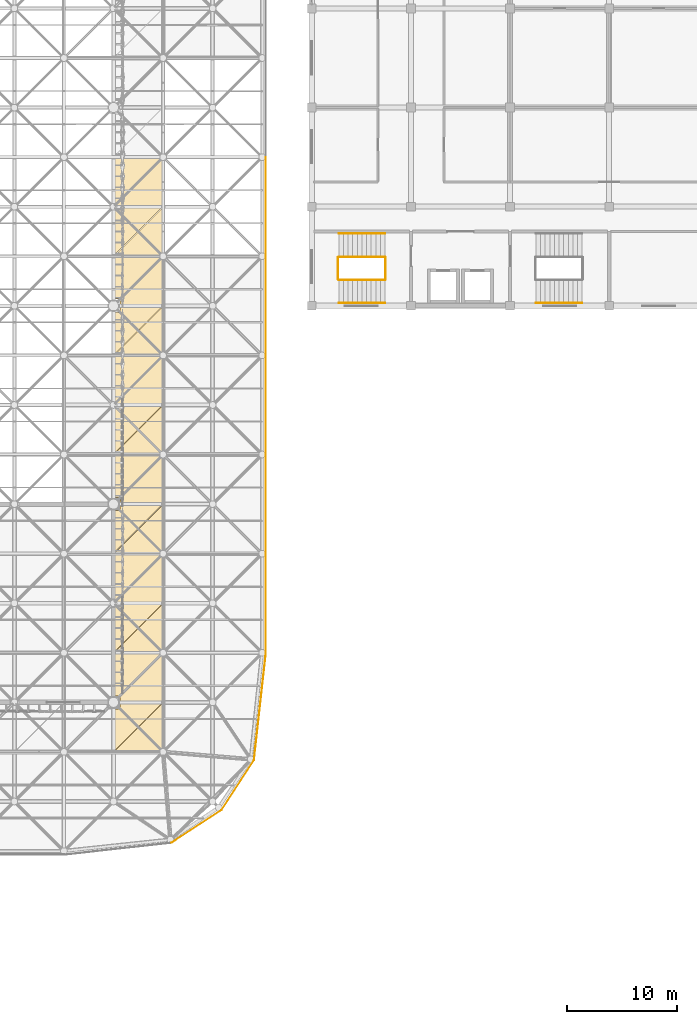
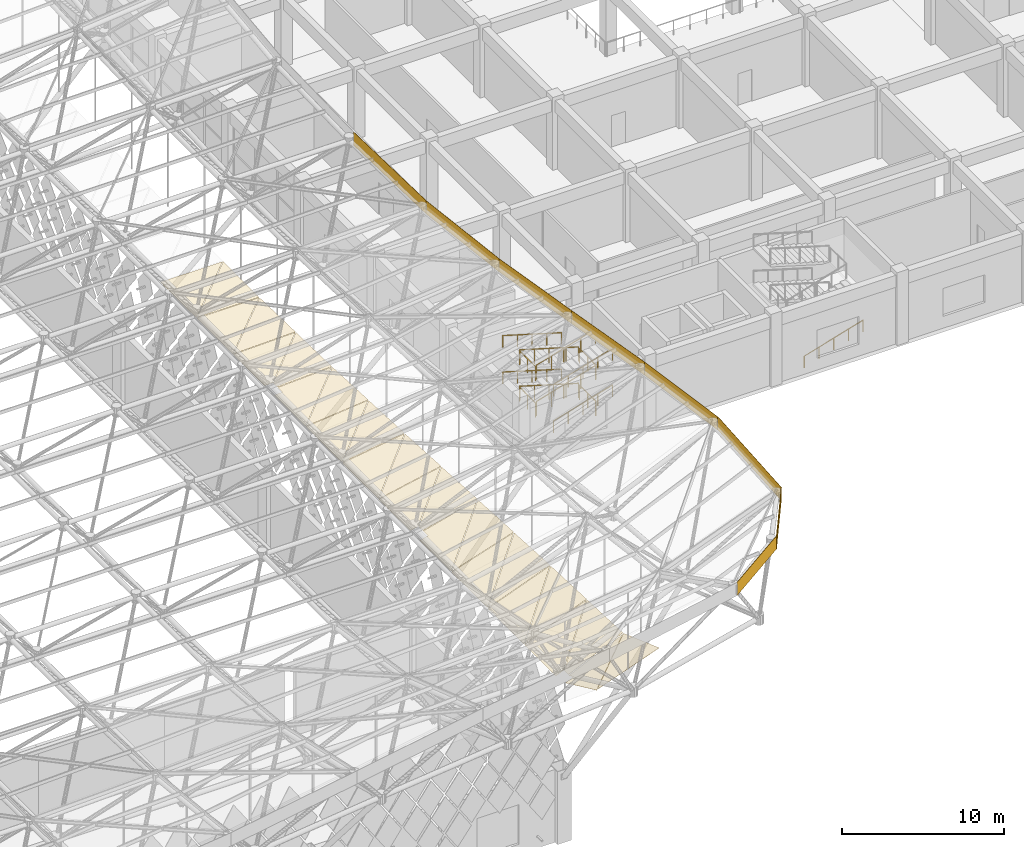
# One storey, part 428 of 437: 32 coverings, 13 railings.
"""IFC4 building model written with IfcOpenShell, lengths in metres."""

from ifc_helpers import new_model, si_unit, direction, frame, origin, origin_2d, place, context, subcontext, project, spatial, polyline, circle, outline, extrude, material, layer, layer_set, constituent, constituent_set, type_object, element, save


model = new_model("IFC4")

# Units and contexts
model_context = context("Model", 3, precision=1e-05, world=origin(), true_north=direction((0.0, 1.0)))
body_context = subcontext(model_context, "Body", "Model", "MODEL_VIEW")
ifc_project = project(units=[si_unit("LENGTHUNIT", "METRE"), si_unit("AREAUNIT", "SQUARE_METRE"), si_unit("VOLUMEUNIT", "CUBIC_METRE"), si_unit("PLANEANGLEUNIT", "RADIAN"), si_unit("MASSUNIT", "GRAM", prefix="KILO")], contexts=[model_context])

# Site, building, storey
site_placement = place(None, origin())
site = spatial("IfcSite", under=ifc_project, at=site_placement, CompositionType="ELEMENT")
building_placement = place(site_placement, origin())
building = spatial("IfcBuilding", under=site, at=building_placement, Name="Opaline Strait Convention Centre", CompositionType="ELEMENT")
storey_placement = place(building_placement, frame((0.0, 0.0, 11.5)))
storey = spatial("IfcBuildingStorey", under=building, at=storey_placement, Name="L02", CompositionType="ELEMENT", Elevation=11.5)

# Coverings
ifc_material_1 = material(Name="White aluminium fascia plate", Category="aluminium")
ifc_layer_1 = layer(ifc_material_1, 0.02001953125)
ifc_layer_set_1 = layer_set([ifc_layer_1], Name="White aluminium fascia plate")
covering_type_1 = type_object("IfcCoveringType", Name="Edge fascia plate 20 aluminium", PredefinedType="CLADDING", material=ifc_layer_set_1)
covering_1_placement = place(storey_placement, frame((268.516845703125, 42.737548828125, 24.8037109375), z_axis=(0.546267780547, -0.837610596839, 0.0), x_axis=(0.837610596839, 0.546267780547, 0.0)))
element("IfcCovering", 1, at=covering_1_placement, inside=storey, type_object=covering_type_1, Name="Edge fascia plate S", PredefinedType="CLADDING", context=body_context, shape_type="SweptSolid", body=[
    extrude(outline(polyline([(-2.700439453125, 0.4248046875), (2.700439453125, 0.5751953125), (2.700439453125, -0.4248046875), (-2.700439453125, -0.5751953125), (-2.700439453125, 0.4248046875)])), origin(), (0.0, 0.0, 1.0), 0.02001953125),
])
covering_2_placement = place(storey_placement, frame((272.262451171875, 46.483154296875, 24.8037109375), z_axis=(0.837610596839, -0.546267780547, 0.0), x_axis=(0.546267780547, 0.837610596839, 0.0)))
element("IfcCovering", 2, at=covering_2_placement, inside=storey, type_object=covering_type_1, Name="Edge fascia plate E", PredefinedType="CLADDING", context=body_context, shape_type="SweptSolid", body=[
    extrude(outline(polyline([(-2.700439453125, 0.5751953125), (2.700439453125, 0.4248046875), (2.700439453125, -0.5751953125), (-2.700439453125, -0.4248046875), (-2.700439453125, 0.5751953125)])), origin(), (0.0, 0.0, 1.0), 0.02001953125),
])
covering_3_placement = place(storey_placement, frame((274.281494140625, 53.6064453125, 24.2626953125), z_axis=(0.993883734674, -0.110431526075, 0.0), x_axis=(0.110431526075, 0.993883734674, 0.0)))
element("IfcCovering", 3, at=covering_3_placement, inside=storey, type_object=covering_type_1, Name="Edge fascia plate E", PredefinedType="CLADDING", context=body_context, shape_type="SweptSolid", body=[
    extrude(outline(polyline([(-4.9052734375, 0.9658203125), (4.9052734375, 0.0341796875), (4.9052734375, -0.9658203125), (-4.9052734375, -0.0341796875), (-4.9052734375, 0.9658203125)])), origin(), (0.0, 0.0, 1.0), 0.019775390625),
])
covering_4_placement = place(storey_placement, frame((274.800048828125, 62.991943359375, 23.124267578125), z_axis=(1.0, 0.0, 0.0), x_axis=(0.0, 1.0, 0.0)))
element("IfcCovering", 4, at=covering_4_placement, inside=storey, type_object=covering_type_1, Name="Edge fascia plate E", PredefinedType="CLADDING", context=body_context, shape_type="SweptSolid", body=[
    extrude(outline(polyline([(-4.508056640625, 1.17236328125), (4.508056640625, -0.17236328125), (4.508056640625, -1.17236328125), (-4.508056640625, 0.17236328125), (-4.508056640625, 1.17236328125)])), origin(), (0.0, 0.0, 1.0), 0.02001953125),
])
covering_5_placement = place(storey_placement, frame((274.800048828125, 72.0, 21.65966796875), z_axis=(1.0, 0.0, 0.0), x_axis=(0.0, 1.0, 0.0)))
element("IfcCovering", 5, at=covering_5_placement, inside=storey, type_object=covering_type_1, Name="Edge fascia plate E", PredefinedType="CLADDING", context=body_context, shape_type="SweptSolid", body=[
    extrude(outline(polyline([(-4.5, 1.29248046875), (4.5, -0.29248046875), (4.5, -1.29248046875), (-4.5, 0.29248046875), (-4.5, 1.29248046875)])), origin(), (0.0, 0.0, 1.0), 0.02001953125),
])
covering_6_placement = place(storey_placement, frame((274.800048828125, 81.0, 20.103515625), z_axis=(1.0, 0.0, 0.0), x_axis=(0.0, 1.0, 0.0)))
element("IfcCovering", 6, at=covering_6_placement, inside=storey, type_object=covering_type_1, Name="Edge fascia plate E", PredefinedType="CLADDING", context=body_context, shape_type="SweptSolid", body=[
    extrude(outline(polyline([(-4.5, 1.263671875), (4.5, -0.263671875), (4.5, -1.263671875), (-4.5, 0.263671875), (-4.5, 1.263671875)])), origin(), (0.0, 0.0, 1.0), 0.02001953125),
])
covering_7_placement = place(storey_placement, frame((274.800048828125, 90.0, 18.79638671875), z_axis=(1.0, 0.0, 0.0), x_axis=(0.0, 1.0, 0.0)))
element("IfcCovering", 7, at=covering_7_placement, inside=storey, type_object=covering_type_1, Name="Edge fascia plate E", PredefinedType="CLADDING", context=body_context, shape_type="SweptSolid", body=[
    extrude(outline(polyline([(-4.5, 1.043701171875), (4.5, -0.043701171875), (4.5, -1.043701171875), (-4.5, 0.043701171875), (-4.5, 1.043701171875)])), origin(), (0.0, 0.0, 1.0), 0.02001953125),
])
covering_8_placement = place(storey_placement, frame((274.800048828125, 99.0, 18.12646484375), z_axis=(1.0, 0.0, 0.0), x_axis=(0.0, 1.0, 0.0)))
element("IfcCovering", 8, at=covering_8_placement, inside=storey, type_object=covering_type_1, Name="Edge fascia plate E", PredefinedType="CLADDING", context=body_context, shape_type="SweptSolid", body=[
    extrude(outline(polyline([(-4.5, 0.62646484375), (4.5, 0.373779296875), (4.5, -0.626220703125), (-4.5, -0.37353515625), (-4.5, 0.62646484375)])), origin(), (0.0, 0.0, 1.0), 0.02001953125),
])

# Railings
ifc_material_2 = material(Name="Steel Q235B", Category="steel")
ifc_constituent_1 = constituent(ifc_material_2, Name="Frame")
ifc_material_3 = material(Name="Safety glass, bonded interlayer", Category="glass")
ifc_constituent_2 = constituent(ifc_material_3, Name="Infill")
ifc_constituent_set = constituent_set(constituents=[ifc_constituent_1, ifc_constituent_2], Name="Steel Q235B, Safety glass, bonded interlayer")
railing_type_1 = type_object("IfcRailingType", Name="Guard 1100 steel and glass", PredefinedType="GUARDRAIL", material=ifc_constituent_set)
railing_1_placement = place(storey_placement, frame((285.650146484375, 94.4501953125, 0.125)))
element("IfcRailing", 9, at=railing_1_placement, inside=storey, type_object=railing_type_1, Name="L02 S1 stair guard 1", PredefinedType="GUARDRAIL", context=body_context, shape_type="SweptSolid", body=[
    extrude(circle(Radius=0.02392578125, at=origin_2d()), frame((0.0, 0.0, 1.076171875), z_axis=(-0.958451171748, 0.0, 0.285256641246), x_axis=(0.0, -1.0, 0.0)), (0.0, 0.0, 1.0), 4.382080078125),
    extrude(circle(Radius=0.02099609375, at=origin_2d()), origin(), (0.0, 0.0, 1.0), 1.052001953125),
    extrude(circle(Radius=0.02099609375, at=origin_2d()), frame((-1.050048828125, 0.0, 0.3125)), (0.0, 0.0, 1.0), 1.052001953125),
    extrude(circle(Radius=0.02099609375, at=origin_2d()), frame((-2.10009765625, 0.0, 0.625)), (0.0, 0.0, 1.0), 1.052001953125),
    extrude(circle(Radius=0.02099609375, at=origin_2d()), frame((-3.14990234375, 0.0, 0.9375)), (0.0, 0.0, 1.0), 1.052001953125),
    extrude(circle(Radius=0.02099609375, at=origin_2d()), frame((-4.199951171875, 0.0, 1.25)), (0.0, 0.0, 1.0), 1.052001953125),
])
railing_2_placement = place(storey_placement, frame((281.400146484375, 94.400146484375, 1.375)))
element("IfcRailing", 10, at=railing_2_placement, inside=storey, type_object=railing_type_1, Name="L02 S1 stair guard 2", PredefinedType="GUARDRAIL", context=body_context, shape_type="SweptSolid", body=[
    extrude(circle(Radius=0.02392578125, at=origin_2d()), frame((0.0, 0.0, 1.076171875), z_axis=(0.0, -1.0, 0.0), x_axis=(1.0, 0.0, 0.0)), (0.0, 0.0, 1.0), 2.0),
    extrude(circle(Radius=0.02099609375, at=origin_2d()), origin(), (0.0, 0.0, 1.0), 1.052001953125),
    extrude(circle(Radius=0.02099609375, at=origin_2d()), frame((0.0, -1.0, 0.0)), (0.0, 0.0, 1.0), 1.052001953125),
    extrude(circle(Radius=0.02099609375, at=origin_2d()), frame((0.0, -2.0, 0.0)), (0.0, 0.0, 1.0), 1.052001953125),
])
railing_3_placement = place(storey_placement, frame((281.4501953125, 92.35009765625, 1.5)))
element("IfcRailing", 11, at=railing_3_placement, inside=storey, type_object=railing_type_1, Name="L02 S1 stair guard 3", PredefinedType="GUARDRAIL", context=body_context, shape_type="SweptSolid", body=[
    extrude(circle(Radius=0.02392578125, at=origin_2d()), frame((0.0, 0.0, 1.076171875), z_axis=(0.958451171748, 0.0, 0.285256641246), x_axis=(0.0, 1.0, 0.0)), (0.0, 0.0, 1.0), 4.382080078125),
    extrude(circle(Radius=0.02099609375, at=origin_2d()), origin(), (0.0, 0.0, 1.0), 1.052001953125),
    extrude(circle(Radius=0.02099609375, at=origin_2d()), frame((1.050048828125, 0.0, 0.3125)), (0.0, 0.0, 1.0), 1.052001953125),
    extrude(circle(Radius=0.02099609375, at=origin_2d()), frame((2.10009765625, 0.0, 0.625)), (0.0, 0.0, 1.0), 1.052001953125),
    extrude(circle(Radius=0.02099609375, at=origin_2d()), frame((3.14990234375, 0.0, 0.9375)), (0.0, 0.0, 1.0), 1.052001953125),
    extrude(circle(Radius=0.02099609375, at=origin_2d()), frame((4.199951171875, 0.0, 1.25)), (0.0, 0.0, 1.0), 1.052001953125),
])
railing_4_placement = place(storey_placement, frame((285.7001953125, 94.400146484375, 2.75)))
element("IfcRailing", 12, at=railing_4_placement, inside=storey, type_object=railing_type_1, Name="L02 S1 stair guard 4", PredefinedType="GUARDRAIL", context=body_context, shape_type="SweptSolid", body=[
    extrude(circle(Radius=0.02392578125, at=origin_2d()), frame((0.0, 0.0, 1.076171875), z_axis=(0.0, -1.0, 0.0), x_axis=(1.0, 0.0, 0.0)), (0.0, 0.0, 1.0), 2.0),
    extrude(circle(Radius=0.02099609375, at=origin_2d()), origin(), (0.0, 0.0, 1.0), 1.052001953125),
    extrude(circle(Radius=0.02099609375, at=origin_2d()), frame((0.0, -1.0, 0.0)), (0.0, 0.0, 1.0), 1.052001953125),
    extrude(circle(Radius=0.02099609375, at=origin_2d()), frame((0.0, -2.0, 0.0)), (0.0, 0.0, 1.0), 1.052001953125),
])
railing_5_placement = place(storey_placement, frame((285.650146484375, 94.4501953125, 2.875)))
element("IfcRailing", 13, at=railing_5_placement, inside=storey, type_object=railing_type_1, Name="L02 S1 stair guard 5", PredefinedType="GUARDRAIL", context=body_context, shape_type="SweptSolid", body=[
    extrude(circle(Radius=0.02392578125, at=origin_2d()), frame((0.0, 0.0, 1.076171875), z_axis=(-0.958451171748, 0.0, 0.285256641246), x_axis=(0.0, -1.0, 0.0)), (0.0, 0.0, 1.0), 4.382080078125),
    extrude(circle(Radius=0.02099609375, at=origin_2d()), origin(), (0.0, 0.0, 1.0), 1.052001953125),
    extrude(circle(Radius=0.02099609375, at=origin_2d()), frame((-1.050048828125, 0.0, 0.3125)), (0.0, 0.0, 1.0), 1.052001953125),
    extrude(circle(Radius=0.02099609375, at=origin_2d()), frame((-2.10009765625, 0.0, 0.625)), (0.0, 0.0, 1.0), 1.052001953125),
    extrude(circle(Radius=0.02099609375, at=origin_2d()), frame((-3.14990234375, 0.0, 0.9375)), (0.0, 0.0, 1.0), 1.052001953125),
    extrude(circle(Radius=0.02099609375, at=origin_2d()), frame((-4.199951171875, 0.0, 1.25)), (0.0, 0.0, 1.0), 1.052001953125),
])
railing_6_placement = place(storey_placement, frame((281.400146484375, 94.400146484375, 4.125)))
element("IfcRailing", 14, at=railing_6_placement, inside=storey, type_object=railing_type_1, Name="L02 S1 stair guard 6", PredefinedType="GUARDRAIL", context=body_context, shape_type="SweptSolid", body=[
    extrude(circle(Radius=0.02392578125, at=origin_2d()), frame((0.0, 0.0, 1.076171875), z_axis=(0.0, -1.0, 0.0), x_axis=(1.0, 0.0, 0.0)), (0.0, 0.0, 1.0), 2.0),
    extrude(circle(Radius=0.02099609375, at=origin_2d()), origin(), (0.0, 0.0, 1.0), 1.052001953125),
    extrude(circle(Radius=0.02099609375, at=origin_2d()), frame((0.0, -1.0, 0.0)), (0.0, 0.0, 1.0), 1.052001953125),
    extrude(circle(Radius=0.02099609375, at=origin_2d()), frame((0.0, -2.0, 0.0)), (0.0, 0.0, 1.0), 1.052001953125),
])
railing_7_placement = place(storey_placement, frame((281.4501953125, 92.35009765625, 4.25)))
element("IfcRailing", 15, at=railing_7_placement, inside=storey, type_object=railing_type_1, Name="L02 S1 stair guard 7", PredefinedType="GUARDRAIL", context=body_context, shape_type="SweptSolid", body=[
    extrude(circle(Radius=0.02392578125, at=origin_2d()), frame((0.0, 0.0, 1.076171875), z_axis=(0.958451171748, 0.0, 0.285256641246), x_axis=(0.0, 1.0, 0.0)), (0.0, 0.0, 1.0), 4.382080078125),
    extrude(circle(Radius=0.02099609375, at=origin_2d()), origin(), (0.0, 0.0, 1.0), 1.052001953125),
    extrude(circle(Radius=0.02099609375, at=origin_2d()), frame((1.050048828125, 0.0, 0.3125)), (0.0, 0.0, 1.0), 1.052001953125),
    extrude(circle(Radius=0.02099609375, at=origin_2d()), frame((2.10009765625, 0.0, 0.625)), (0.0, 0.0, 1.0), 1.052001953125),
    extrude(circle(Radius=0.02099609375, at=origin_2d()), frame((3.14990234375, 0.0, 0.9375)), (0.0, 0.0, 1.0), 1.052001953125),
    extrude(circle(Radius=0.02099609375, at=origin_2d()), frame((4.199951171875, 0.0, 1.25)), (0.0, 0.0, 1.0), 1.052001953125),
])
railing_8_placement = place(storey_placement, frame((285.7001953125, 94.400146484375, 0.0)))
element("IfcRailing", 16, at=railing_8_placement, inside=storey, type_object=railing_type_1, Name="L02 S1 stair guard 8", PredefinedType="GUARDRAIL", context=body_context, shape_type="SweptSolid", body=[
    extrude(circle(Radius=0.02392578125, at=origin_2d()), frame((0.0, 0.0, 1.076171875), z_axis=(0.0, -1.0, 0.0), x_axis=(1.0, 0.0, 0.0)), (0.0, 0.0, 1.0), 2.0),
    extrude(circle(Radius=0.02099609375, at=origin_2d()), origin(), (0.0, 0.0, 1.0), 1.052001953125),
    extrude(circle(Radius=0.02099609375, at=origin_2d()), frame((0.0, -1.0, 0.0)), (0.0, 0.0, 1.0), 1.052001953125),
    extrude(circle(Radius=0.02099609375, at=origin_2d()), frame((0.0, -2.0, 0.0)), (0.0, 0.0, 1.0), 1.052001953125),
])

# Coverings
ifc_material_4 = material(Name="White aluminium soffit panel", Category="aluminium")
ifc_layer_2 = layer(ifc_material_4, 0.011962890625)
ifc_layer_set_2 = layer_set([ifc_layer_2], Name="White aluminium soffit panel")
covering_type_2 = type_object("IfcCoveringType", Name="Soffit lining panel 12 aluminium", PredefinedType="CEILING", material=ifc_layer_set_2)
covering_9_placement = place(storey_placement, frame((261.04833984375, 49.52001953125, 13.951171875), z_axis=(-0.319733183458, 0.319733183458, 0.891931265733), x_axis=(0.707106781187, 0.707106781187, 0.0)))
element("IfcCovering", 17, at=covering_9_placement, inside=storey, type_object=covering_type_2, Name="Soffit lining panel", PredefinedType="CEILING", context=body_context, shape_type="SweptSolid", body=[
    extrude(outline(polyline([(0.0, 0.0), (6.26728627543858, 0.0), (3.13364313771929, -3.513323568878563), (0.0, 0.0)])), origin(), (0.0, 0.0, -1.0), 0.011962890625),
])
covering_10_placement = place(storey_placement, frame((261.02001953125, 53.39990234375, 12.10400390625), z_axis=(-0.386677291597, 0.386677291597, 0.837234342538), x_axis=(0.907880998043, 0.000167936377, 0.419227939419)))
element("IfcCovering", 18, at=covering_10_placement, inside=storey, type_object=covering_type_2, Name="Soffit lining panel", PredefinedType="CEILING", context=body_context, shape_type="SweptSolid", body=[
    extrude(outline(polyline([(0.0, 0.0), (0.6388181330453637, -2.7755575615628914e-17), (0.5267393232865868, 0.6289093317089673), (4.769225991190877, 0.6281502347137576), (0.7450794439273573, -4.176547656355761), (0.0, 0.0)])), origin(), (0.0, 0.0, -1.0), 0.011962890625),
])
covering_11_placement = place(storey_placement, frame((265.47998046875, 58.45166015625, 13.758544921875), z_axis=(-0.418964447828, 0.038044665286, 0.907205266133), x_axis=(-4.694149e-06, -0.999121929931, 0.041897125316)))
element("IfcCovering", 19, at=covering_11_placement, inside=storey, type_object=covering_type_2, Name="Soffit lining panel", PredefinedType="CEILING", context=body_context, shape_type="SweptSolid", body=[
    extrude(outline(polyline([(0.0, 0.0), (4.43553344347302, 0.0), (4.360482563765838, -4.272963733194881), (3.8082374982023253, -4.272989518774341), (0.0, 0.0)])), origin(), (0.0, 0.0, -1.0), 0.011962890625),
])
covering_12_placement = place(storey_placement, frame((261.02001953125, 58.47998046875, 11.898193359375), z_axis=(-0.387154153056, 1.500748e-06, 0.922015000837), x_axis=(0.922015000838, 2e-12, 0.387154153056)))
element("IfcCovering", 20, at=covering_12_placement, inside=storey, type_object=covering_type_2, Name="Soffit lining panel", PredefinedType="CEILING", context=body_context, shape_type="SweptSolid", body=[
    extrude(outline(polyline([(0.0, 0.0), (4.80647100825585, 4.235164736271502e-22), (0.5984285139444813, -3.8798828125054574), (-7.053854164623188e-12, -3.879882812495631), (0.0, 0.0)])), origin(), (0.0, 0.0, -1.0), 0.011962890625),
])
covering_13_placement = place(storey_placement, frame((261.04833984375, 58.52001953125, 11.90869140625), z_axis=(-0.386820964607, 0.038626263491, 0.92134551234), x_axis=(0.683135434977, 0.683135434977, 0.258170399071)))
element("IfcCovering", 21, at=covering_13_placement, inside=storey, type_object=covering_type_2, Name="Soffit lining panel", PredefinedType="CEILING", context=body_context, shape_type="SweptSolid", body=[
    extrude(outline(polyline([(0.0, 0.0), (6.4872064865836325, -1.1102230246251565e-16), (3.5077614812088864, -3.2858582426186382), (0.0, 0.0)])), origin(), (0.0, 0.0, -1.0), 0.011962890625),
])
covering_14_placement = place(storey_placement, frame((261.02001953125, 58.54833984375, 11.910400390625), z_axis=(-0.35351681603, 0.0, 0.935428169762), x_axis=(0.0, 1.0, 0.0)))
element("IfcCovering", 22, at=covering_14_placement, inside=storey, type_object=covering_type_2, Name="Soffit lining panel", PredefinedType="CEILING", context=body_context, shape_type="SweptSolid", body=[
    extrude(outline(polyline([(0.0, 0.0), (4.431640625, 0.0), (4.431640625, -4.737553099483146), (0.0, 0.0)])), origin(), (0.0, 0.0, -1.0), 0.011962890625),
])
covering_15_placement = place(storey_placement, frame((261.04833984375, 63.02001953125, 11.918701171875), z_axis=(-0.353094322796, 0.051412509616, 0.934174048593), x_axis=(0.689361784961, 0.689361784961, 0.222622233552)))
element("IfcCovering", 23, at=covering_15_placement, inside=storey, type_object=covering_type_2, Name="Soffit lining panel", PredefinedType="CEILING", context=body_context, shape_type="SweptSolid", body=[
    extrude(outline(polyline([(0.0, 0.0), (6.428613714427233, 2.7755575615628914e-16), (3.4279068029802393, -3.2702724895389252), (0.0, 0.0)])), origin(), (0.0, 0.0, -1.0), 0.011962890625),
])
covering_16_placement = place(storey_placement, frame((261.02001953125, 63.04833984375, 11.926513671875), z_axis=(-0.307264697163, 0.0, 0.951624088534), x_axis=(0.0, 1.0, 0.0)))
element("IfcCovering", 24, at=covering_16_placement, inside=storey, type_object=covering_type_2, Name="Soffit lining panel", PredefinedType="CEILING", context=body_context, shape_type="SweptSolid", body=[
    extrude(outline(polyline([(0.0, 0.0), (4.431640625, 0.0), (4.431640625, -4.65692354617518), (0.0, 0.0)])), origin(), (0.0, 0.0, -1.0), 0.011962890625),
])
covering_17_placement = place(storey_placement, frame((261.04833984375, 67.52001953125, 11.93310546875), z_axis=(-0.306844161114, 0.052301197228, 0.950321653736), x_axis=(0.694755567167, 0.694755567167, 0.186089773445)))
element("IfcCovering", 25, at=covering_17_placement, inside=storey, type_object=covering_type_2, Name="Soffit lining panel", PredefinedType="CEILING", context=body_context, shape_type="SweptSolid", body=[
    extrude(outline(polyline([(0.0, 0.0), (6.378704733623482, -2.220446049250313e-16), (3.345184379242157, -3.2398577721552955), (0.0, 0.0)])), origin(), (0.0, 0.0, -1.0), 0.011962890625),
])
covering_18_placement = place(storey_placement, frame((261.02001953125, 71.39990234375, 11.9423828125), z_axis=(-0.258734508722, 2.2585036e-05, 0.965948473515), x_axis=(0.965948473762, 3.764e-09, 0.258734508788)))
element("IfcCovering", 26, at=covering_18_placement, inside=storey, type_object=covering_type_2, Name="Soffit lining panel", PredefinedType="CEILING", context=body_context, shape_type="SweptSolid", body=[
    extrude(outline(polyline([(0.0, 0.0), (0.6005001760855877, 4.235164736271502e-22), (0.6005001782692196, 0.5800781248520559), (4.5878573941383625, 0.5800781081734141), (-1.4498728164740077e-08, -3.8515624990176907), (0.0, 0.0)])), origin(), (0.0, 0.0, -1.0), 0.011962890625),
])
covering_19_placement = place(storey_placement, frame((265.47998046875, 72.02001953125, 13.1337890625), z_axis=(-0.258304052823, 0.056554722907, 0.964406853777), x_axis=(-0.965952834707, 1.759893e-06, -0.258718227264)))
element("IfcCovering", 27, at=covering_19_placement, inside=storey, type_object=covering_type_2, Name="Soffit lining panel", PredefinedType="CEILING", context=body_context, shape_type="SweptSolid", body=[
    extrude(outline(polyline([(0.0, 0.0), (4.0166713727111185, 6.938893903907228e-18), (4.025009942866852, -0.5526352211088226), (0.06727706484882381, -4.438751793949846), (0.0, 0.0)])), origin(), (0.0, 0.0, -1.0), 0.011962890625),
])
covering_20_placement = place(storey_placement, frame((265.45166015625, 76.47998046875, 12.886474609375), z_axis=(-0.204804393512, 7.290009e-06, 0.978802922117), x_axis=(-0.69949209365, -0.699493138049, -0.146356280164)))
element("IfcCovering", 28, at=covering_20_placement, inside=storey, type_object=covering_type_2, Name="Soffit lining panel", PredefinedType="CEILING", context=body_context, shape_type="SweptSolid", body=[
    extrude(outline(polyline([(0.0, 0.0), (5.546706038502559, -1.1379786002407855e-15), (5.949557271941814, -0.3943131422387574), (3.2356058681647184, -3.1670299355426152), (0.0, 0.0)])), origin(), (0.0, 0.0, -1.0), 0.011962890625),
])
covering_21_placement = place(storey_placement, frame((261.04833984375, 76.52001953125, 11.961669921875), z_axis=(-0.204409821975, 0.057333805742, 0.977204921907), x_axis=(0.703136079276, 0.703136079276, 0.105826783196)))
element("IfcCovering", 29, at=covering_21_placement, inside=storey, type_object=covering_type_2, Name="Soffit lining panel", PredefinedType="CEILING", context=body_context, shape_type="SweptSolid", body=[
    extrude(outline(polyline([(0.0, 0.0), (6.302678465262751, -2.0816681711721685e-16), (3.2141480485372487, -3.188733850971598), (0.0, 0.0)])), origin(), (0.0, 0.0, -1.0), 0.011962890625),
])
covering_22_placement = place(storey_placement, frame((261.02001953125, 76.54833984375, 11.976318359375), z_axis=(-0.148830592632, 0.0, 0.988862707709), x_axis=(0.0, 1.0, 0.0)))
element("IfcCovering", 30, at=covering_22_placement, inside=storey, type_object=covering_type_2, Name="Soffit lining panel", PredefinedType="CEILING", context=body_context, shape_type="SweptSolid", body=[
    extrude(outline(polyline([(0.0, 0.0), (4.431640625, 0.0), (4.431640625, -4.4815529905755245), (0.0, 0.0)])), origin(), (0.0, 0.0, -1.0), 0.011962890625),
])
covering_23_placement = place(storey_placement, frame((261.04833984375, 81.02001953125, 11.97705078125), z_axis=(-0.148650840766, 0.049133129287, 0.987668397361), x_axis=(0.705318837527, 0.705318837527, 0.071068100145)))
element("IfcCovering", 31, at=covering_23_placement, inside=storey, type_object=covering_type_2, Name="Soffit lining panel", PredefinedType="CEILING", context=body_context, shape_type="SweptSolid", body=[
    extrude(outline(polyline([(0.0, 0.0), (6.283173494325447, -4.0245584642661925e-16), (3.173121481541161, -3.1647460041397406), (0.0, 0.0)])), origin(), (0.0, 0.0, -1.0), 0.011962890625),
])
covering_24_placement = place(storey_placement, frame((261.02001953125, 81.04833984375, 11.99072265625), z_axis=(-0.100306879711, 0.0, 0.994956546731), x_axis=(0.0, 1.0, 0.0)))
element("IfcCovering", 32, at=covering_24_placement, inside=storey, type_object=covering_type_2, Name="Soffit lining panel", PredefinedType="CEILING", context=body_context, shape_type="SweptSolid", body=[
    extrude(outline(polyline([(0.0, 0.0), (4.431640625, 0.0), (4.431640625, -4.4541046938794215), (0.0, 0.0)])), origin(), (0.0, 0.0, -1.0), 0.011962890625),
])
covering_25_placement = place(storey_placement, frame((261.04833984375, 85.52001953125, 11.989013671875), z_axis=(-0.10013004148, 0.049435444208, 0.993745496417), x_axis=(0.706647187087, 0.706647187087, 0.036048661042)))
element("IfcCovering", 33, at=covering_25_placement, inside=storey, type_object=covering_type_2, Name="Soffit lining panel", PredefinedType="CEILING", context=body_context, shape_type="SweptSolid", body=[
    extrude(outline(polyline([(0.0, 0.0), (6.271362436559078, 3.469446951953614e-18), (3.1477033059221204, -3.151316300933694), (0.0, 0.0)])), origin(), (0.0, 0.0, -1.0), 0.011962890625),
])
covering_26_placement = place(storey_placement, frame((261.60009765625, 89.97998046875, 12.0205078125), z_axis=(-0.05100733674, 1.9333429e-05, 0.998698278373), x_axis=(0.998698278559, -3.17e-10, 0.05100733675)))
element("IfcCovering", 34, at=covering_26_placement, inside=storey, type_object=covering_type_2, Name="Soffit lining panel", PredefinedType="CEILING", context=body_context, shape_type="SweptSolid", body=[
    extrude(outline(polyline([(0.0, 0.0), (3.85658592675168, -4.235164736271502e-22), (-0.5808298319942785, -4.431640626012398), (-0.580829833215506, -0.5800781267322196), (1.8392726934784082e-10, -0.5800781248915887), (0.0, 0.0)])), origin(), (0.0, 0.0, -1.0), 0.011962890625),
])
covering_27_placement = place(storey_placement, frame((265.47998046875, 90.02001953125, 12.21826171875), z_axis=(-0.050983197058, 0.024945024713, 0.998387930296), x_axis=(-0.998698699977, 7.30558e-07, -0.050999084926)))
element("IfcCovering", 35, at=covering_27_placement, inside=storey, type_object=covering_type_2, Name="Soffit lining panel", PredefinedType="CEILING", context=body_context, shape_type="SweptSolid", body=[
    extrude(outline(polyline([(0.0, 0.0), (3.8849440910639146, 0.0), (3.885641747269246, -0.5519267199106684), (0.005655968175302711, -4.433022907361481), (0.0, 0.0)])), origin(), (0.0, 0.0, -1.0), 0.011962890625),
])
covering_28_placement = place(storey_placement, frame((265.45166015625, 94.47998046875, 12.105712890625), z_axis=(-0.026005311496, 1.309102e-05, 0.999661804613), x_axis=(-0.706987180748, -0.706987421553, -0.01838238351)))
element("IfcCovering", 36, at=covering_28_placement, inside=storey, type_object=covering_type_2, Name="Soffit lining panel", PredefinedType="CEILING", context=body_context, shape_type="SweptSolid", body=[
    extrude(outline(polyline([(0.0, 0.0), (5.487909253945506, 1.4333152720258369e-16), (5.878259739569927, -0.3902187376539449), (3.1352313940319494, -3.1341732073433217), (0.0, 0.0)])), origin(), (0.0, 0.0, -1.0), 0.011962890625),
])
covering_29_placement = place(storey_placement, frame((261.04833984375, 94.52001953125, 11.99072265625), z_axis=(-0.026040718529, 0.025049739811, 0.999346982541), x_axis=(0.707106607358, 0.707106607358, 0.000701185485)))
element("IfcCovering", 37, at=covering_29_placement, inside=storey, type_object=covering_type_2, Name="Soffit lining panel", PredefinedType="CEILING", context=body_context, shape_type="SweptSolid", body=[
    extrude(outline(polyline([(0.0, 0.0), (6.2672878161295325, 2.5833827264898357e-16), (3.1337233392330437, -3.1356900277080078), (0.0, 0.0)])), origin(), (0.0, 0.0, -1.0), 0.011962890625),
])
covering_30_placement = place(storey_placement, frame((261.02001953125, 94.54833984375, 11.989990234375), z_axis=(-0.00099162578, 0.0, 0.999999508339), x_axis=(0.0, 1.0, 0.0)))
element("IfcCovering", 38, at=covering_30_placement, inside=storey, type_object=covering_type_2, Name="Soffit lining panel", PredefinedType="CEILING", context=body_context, shape_type="SweptSolid", body=[
    extrude(outline(polyline([(0.0, 0.0), (4.431640625, 0.0), (4.431640625, -4.431642803865774), (0.0, 0.0)])), origin(), (0.0, 0.0, -1.0), 0.011962890625),
])
covering_31_placement = place(storey_placement, frame((261.04833984375, 99.02001953125, 11.989990234375), z_axis=(-0.00099162578, 0.0, 0.999999508339), x_axis=(0.707106607358, 0.707106607358, 0.000701185485)))
element("IfcCovering", 39, at=covering_31_placement, inside=storey, type_object=covering_type_2, Name="Soffit lining panel", PredefinedType="CEILING", context=body_context, shape_type="SweptSolid", body=[
    extrude(outline(polyline([(0.0, 0.0), (6.2672878161295325, -5.14484424030473e-16), (3.1336454487555305, -3.133643908064388), (0.0, 0.0)])), origin(), (0.0, 0.0, -1.0), 0.011962890625),
])
covering_32_placement = place(storey_placement, frame((261.02001953125, 99.04833984375, 11.989990234375), z_axis=(-0.00099162578, 0.0, 0.999999508339), x_axis=(0.0, 1.0, 0.0)))
element("IfcCovering", 40, at=covering_32_placement, inside=storey, type_object=covering_type_2, Name="Soffit lining panel", PredefinedType="CEILING", context=body_context, shape_type="SweptSolid", body=[
    extrude(outline(polyline([(0.0, 0.0), (4.431640625, 0.0), (4.431640625, -4.431642803865774), (0.0, 0.0)])), origin(), (0.0, 0.0, -1.0), 0.011962890625),
])

# Railings
ifc_material_5 = material(Name="Stainless steel 304", Category="steel")
railing_type_2 = type_object("IfcRailingType", Name="Stair handrail 900 stainless steel", PredefinedType="HANDRAIL", material=ifc_material_5)
railing_9_placement = place(storey_placement, frame((285.650146484375, 96.550048828125, 0.125)))
element("IfcRailing", 41, at=railing_9_placement, inside=storey, type_object=railing_type_2, Name="L02 S1 stair handrail 1", PredefinedType="HANDRAIL", context=body_context, shape_type="SweptSolid", body=[
    extrude(circle(Radius=0.02392578125, at=origin_2d()), frame((0.0, 0.0, 0.8759765625), z_axis=(-0.958451171748, 0.0, 0.285256641246), x_axis=(0.0, -1.0, 0.0)), (0.0, 0.0, 1.0), 4.382080078125),
    extrude(circle(Radius=0.02099609375, at=origin_2d()), origin(), (0.0, 0.0, 1.0), 0.851806640625),
    extrude(circle(Radius=0.02099609375, at=origin_2d()), frame((-1.050048828125, 0.0, 0.3125)), (0.0, 0.0, 1.0), 0.851806640625),
    extrude(circle(Radius=0.02099609375, at=origin_2d()), frame((-2.10009765625, 0.0, 0.625)), (0.0, 0.0, 1.0), 0.851806640625),
    extrude(circle(Radius=0.02099609375, at=origin_2d()), frame((-3.14990234375, 0.0, 0.9375)), (0.0, 0.0, 1.0), 0.851806640625),
    extrude(circle(Radius=0.02099609375, at=origin_2d()), frame((-4.199951171875, 0.0, 1.25)), (0.0, 0.0, 1.0), 0.851806640625),
])
railing_10_placement = place(storey_placement, frame((281.4501953125, 90.25, 1.5)))
element("IfcRailing", 42, at=railing_10_placement, inside=storey, type_object=railing_type_2, Name="L02 S1 stair handrail 2", PredefinedType="HANDRAIL", context=body_context, shape_type="SweptSolid", body=[
    extrude(circle(Radius=0.02392578125, at=origin_2d()), frame((0.0, 0.0, 0.8759765625), z_axis=(0.958451171748, 0.0, 0.285256641246), x_axis=(0.0, 1.0, 0.0)), (0.0, 0.0, 1.0), 4.382080078125),
    extrude(circle(Radius=0.02099609375, at=origin_2d()), origin(), (0.0, 0.0, 1.0), 0.851806640625),
    extrude(circle(Radius=0.02099609375, at=origin_2d()), frame((1.050048828125, 0.0, 0.3125)), (0.0, 0.0, 1.0), 0.851806640625),
    extrude(circle(Radius=0.02099609375, at=origin_2d()), frame((2.10009765625, 0.0, 0.625)), (0.0, 0.0, 1.0), 0.851806640625),
    extrude(circle(Radius=0.02099609375, at=origin_2d()), frame((3.14990234375, 0.0, 0.9375)), (0.0, 0.0, 1.0), 0.851806640625),
    extrude(circle(Radius=0.02099609375, at=origin_2d()), frame((4.199951171875, 0.0, 1.25)), (0.0, 0.0, 1.0), 0.851806640625),
])
railing_11_placement = place(storey_placement, frame((285.650146484375, 96.550048828125, 2.875)))
element("IfcRailing", 43, at=railing_11_placement, inside=storey, type_object=railing_type_2, Name="L02 S1 stair handrail 3", PredefinedType="HANDRAIL", context=body_context, shape_type="SweptSolid", body=[
    extrude(circle(Radius=0.02392578125, at=origin_2d()), frame((0.0, 0.0, 0.8759765625), z_axis=(-0.958451171748, 0.0, 0.285256641246), x_axis=(0.0, -1.0, 0.0)), (0.0, 0.0, 1.0), 4.382080078125),
    extrude(circle(Radius=0.02099609375, at=origin_2d()), origin(), (0.0, 0.0, 1.0), 0.851806640625),
    extrude(circle(Radius=0.02099609375, at=origin_2d()), frame((-1.050048828125, 0.0, 0.3125)), (0.0, 0.0, 1.0), 0.851806640625),
    extrude(circle(Radius=0.02099609375, at=origin_2d()), frame((-2.10009765625, 0.0, 0.625)), (0.0, 0.0, 1.0), 0.851806640625),
    extrude(circle(Radius=0.02099609375, at=origin_2d()), frame((-3.14990234375, 0.0, 0.9375)), (0.0, 0.0, 1.0), 0.851806640625),
    extrude(circle(Radius=0.02099609375, at=origin_2d()), frame((-4.199951171875, 0.0, 1.25)), (0.0, 0.0, 1.0), 0.851806640625),
])
for number, where, name in (
    (44, (281.4501953125, 90.25, 4.25), "L02 S1 stair handrail 4"),
    (45, (299.349853515625, 90.25, 0.125), "L02 S2 stair handrail 1"),
):
    element("IfcRailing", number, at=place(storey_placement, frame(where)), inside=storey, type_object=railing_type_2, Name=name, PredefinedType="HANDRAIL", context=body_context, shape_type="SweptSolid", body=[
        extrude(circle(Radius=0.02392578125, at=origin_2d()), frame((0.0, 0.0, 0.8759765625), z_axis=(0.958451171748, 0.0, 0.285256641246), x_axis=(0.0, 1.0, 0.0)), (0.0, 0.0, 1.0), 4.382080078125),
        extrude(circle(Radius=0.02099609375, at=origin_2d()), origin(), (0.0, 0.0, 1.0), 0.851806640625),
        extrude(circle(Radius=0.02099609375, at=origin_2d()), frame((1.050048828125, 0.0, 0.3125)), (0.0, 0.0, 1.0), 0.851806640625),
        extrude(circle(Radius=0.02099609375, at=origin_2d()), frame((2.10009765625, 0.0, 0.625)), (0.0, 0.0, 1.0), 0.851806640625),
        extrude(circle(Radius=0.02099609375, at=origin_2d()), frame((3.14990234375, 0.0, 0.9375)), (0.0, 0.0, 1.0), 0.851806640625),
        extrude(circle(Radius=0.02099609375, at=origin_2d()), frame((4.199951171875, 0.0, 1.25)), (0.0, 0.0, 1.0), 0.851806640625),
    ])

save(model, "model.ifc")
